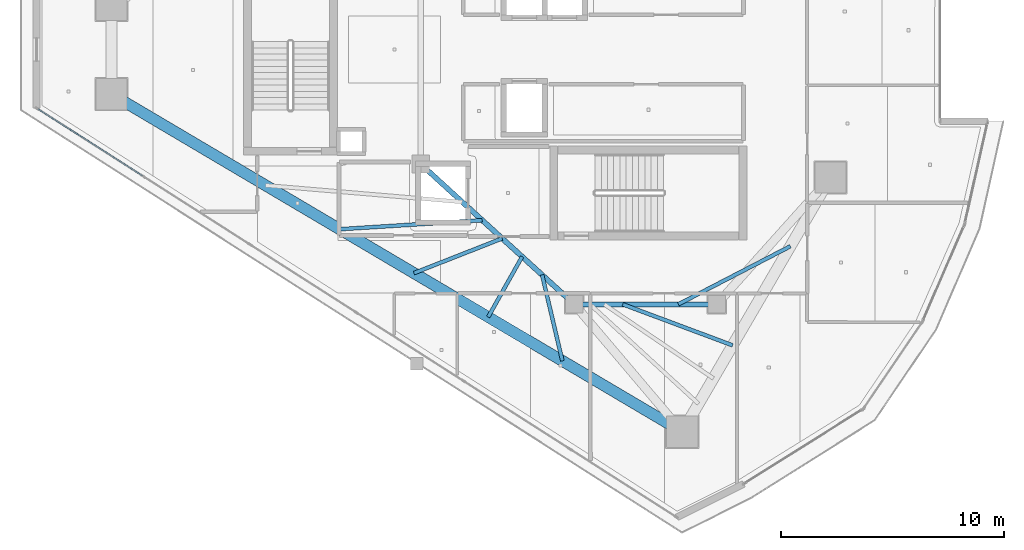
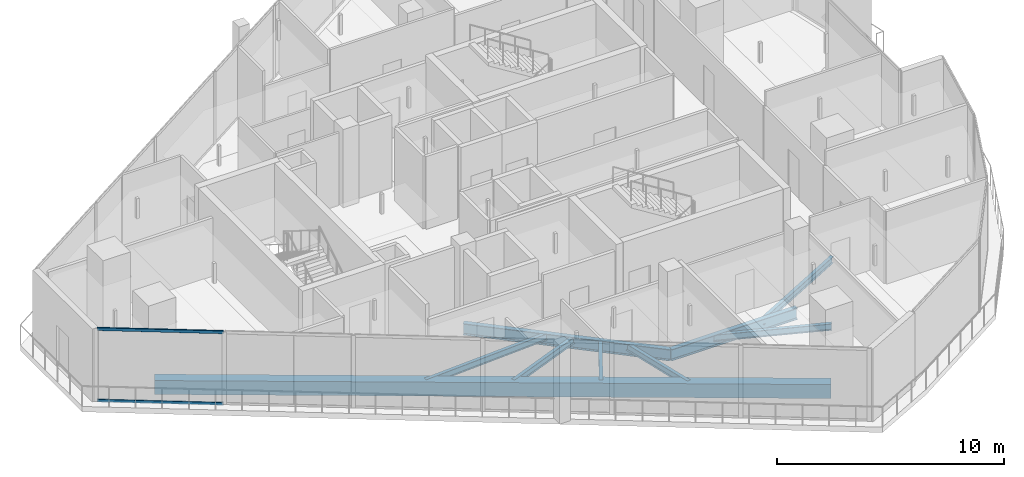
# One storey, part 5 of 24: 9 beams, 2 members, 1 element without a shape of its own.
"""IFC4 building model written with IfcOpenShell, lengths in metres."""

from ifc_helpers import new_model, si_unit, direction, frame, origin, origin_2d, place, context, subcontext, project, spatial, rectangle, hollow_rectangle, i_section, extrude, material, layer, layer_set, material_profile, profile_set, type_object, element, aggregate, save


model = new_model("IFC4")

# Units and contexts
model_context = context("Model", 3, precision=1e-05, world=origin(), true_north=direction((0.0, 1.0)))
body_context = subcontext(model_context, "Body", "Model", "MODEL_VIEW")
ifc_project = project(units=[si_unit("LENGTHUNIT", "METRE"), si_unit("AREAUNIT", "SQUARE_METRE"), si_unit("VOLUMEUNIT", "CUBIC_METRE"), si_unit("PLANEANGLEUNIT", "RADIAN"), si_unit("MASSUNIT", "GRAM", prefix="KILO")], contexts=[model_context])

# Site, building, storey
site_placement = place(None, origin())
site = spatial("IfcSite", under=ifc_project, at=site_placement, CompositionType="ELEMENT")
building_placement = place(site_placement, origin())
building = spatial("IfcBuilding", under=site, at=building_placement, Name="Qorvath Tower", CompositionType="ELEMENT")
storey_placement = place(building_placement, frame((0.0, 0.0, 318.60009765625)))
storey = spatial("IfcBuildingStorey", under=building, at=storey_placement, Name="L74", CompositionType="ELEMENT", Elevation=318.60009765625)

# Beams
ifc_material_1 = material(Name="Steel ASTM A992 Grade 50", Category="steel")
ifc_material_profile_1 = material_profile(ifc_material_1, i_section(OverallWidth=0.22998046875, OverallDepth=0.616943359375, WebThickness=0.01318359375, FlangeThickness=0.022216796875, FilletRadius=0.014892578125, at=origin_2d()), Name="W24x94")
ifc_profile_set_1 = profile_set([ifc_material_profile_1], Name="Steel ASTM A992 Grade 50")
beam_type_1 = type_object("IfcBeamType", Name="BM-FG6", PredefinedType="BEAM", material=ifc_profile_set_1)
beam_1_placement = place(storey_placement, frame((-17.199951171875, -11.449951171875, -0.598388671875), z_axis=(-1.0, 0.0, 0.0), x_axis=(0.0, -1.0, 0.0)))
element("IfcBeam", 1, at=beam_1_placement, inside=storey, type_object=beam_type_1, Name="Core Ring Girder CC3-CC4 L74", PredefinedType="BEAM", context=body_context, shape_type="SweptSolid", body=[
    extrude(i_section(OverallWidth=0.22998046875, OverallDepth=0.616943359375, WebThickness=0.01318359375, FlangeThickness=0.022216796875, FilletRadius=0.014892578125, at=origin_2d()), origin(), (0.0, 0.0, 1.0), 6.400146484375),
])
beam_2_placement = place(storey_placement, frame((-23.60009765625, -11.449951171875, -0.598388671875), z_axis=(-0.73847813985, 0.6742774184, 0.0), x_axis=(-0.6742774184, -0.73847813985, 0.0)))
element("IfcBeam", 2, at=beam_2_placement, inside=storey, type_object=beam_type_1, Name="Core Ring Girder CC4-CC6 L74", PredefinedType="BEAM", context=body_context, shape_type="SweptSolid", body=[
    extrude(i_section(OverallWidth=0.22998046875, OverallDepth=0.616943359375, WebThickness=0.01318359375, FlangeThickness=0.022216796875, FilletRadius=0.014892578125, at=origin_2d()), origin(), (0.0, 0.0, 1.0), 9.343505859375),
])
ifc_material_2 = material(Name="Steel ASTM A992 Grade 50", Category="steel")
ifc_material_profile_2 = material_profile(ifc_material_2, i_section(OverallWidth=0.1708984375, OverallDepth=0.35107421875, WebThickness=0.0068359375, FlangeThickness=0.009765625, FilletRadius=0.010009765625, at=origin_2d()), Name="W14x30")
ifc_profile_set_2 = profile_set([ifc_material_profile_2], Name="Steel ASTM A992 Grade 50")
beam_type_2 = type_object("IfcBeamType", Name="BM-FJ4", PredefinedType="JOIST", material=ifc_profile_set_2)
beam_3_placement = place(storey_placement, frame((-18.927978515625, -11.449951171875, -0.465576171875), z_axis=(0.887840529015, 0.460151274082, 0.0), x_axis=(-0.460151274082, 0.887840529015, 0.0)))
element("IfcBeam", 3, at=beam_3_placement, inside=storey, type_object=beam_type_2, Name="Composite Floor Joist SE2 L74", PredefinedType="JOIST", context=body_context, shape_type="SweptSolid", body=[
    extrude(i_section(OverallWidth=0.1708984375, OverallDepth=0.35107421875, WebThickness=0.0068359375, FlangeThickness=0.009765625, FilletRadius=0.010009765625, at=origin_2d()), origin(), (0.0, 0.0, 1.0), 5.670654296875),
])
beam_4_placement = place(storey_placement, frame((-21.424072265625, -11.449951171875, -0.465576171875), z_axis=(0.936775909139, -0.349929844478, 0.0), x_axis=(0.349929844478, 0.936775909139, 0.0)))
element("IfcBeam", 4, at=beam_4_placement, inside=storey, type_object=beam_type_2, Name="Composite Floor Joist SE5 L74", PredefinedType="JOIST", context=body_context, shape_type="SweptSolid", body=[
    extrude(i_section(OverallWidth=0.1708984375, OverallDepth=0.35107421875, WebThickness=0.0068359375, FlangeThickness=0.009765625, FilletRadius=0.010009765625, at=origin_2d()), origin(), (0.0, 0.0, 1.0), 5.268798828125),
])
beam_5_placement = place(storey_placement, frame((-27.739990234375, -7.669921875, -0.465576171875), z_axis=(-0.998006998641, -0.063103333222, 0.0), x_axis=(0.063103333222, -0.998006998641, 0.0)))
element("IfcBeam", 5, at=beam_5_placement, inside=storey, type_object=beam_type_2, Name="Composite Floor Joist SW3 L74", PredefinedType="JOIST", context=body_context, shape_type="SweptSolid", body=[
    extrude(i_section(OverallWidth=0.1708984375, OverallDepth=0.35107421875, WebThickness=0.0068359375, FlangeThickness=0.009765625, FilletRadius=0.010009765625, at=origin_2d()), origin(), (0.0, 0.0, 1.0), 6.41455078125),
])
beam_6_placement = place(storey_placement, frame((-26.843017578125, -8.489013671875, -0.465576171875), z_axis=(-0.930720832638, -0.365730408489, 0.0), x_axis=(0.365730408489, -0.930720832638, 0.0)))
element("IfcBeam", 6, at=beam_6_placement, inside=storey, type_object=beam_type_2, Name="Composite Floor Joist SW4 L74", PredefinedType="JOIST", context=body_context, shape_type="SweptSolid", body=[
    extrude(i_section(OverallWidth=0.1708984375, OverallDepth=0.35107421875, WebThickness=0.0068359375, FlangeThickness=0.009765625, FilletRadius=0.010009765625, at=origin_2d()), origin(), (0.0, 0.0, 1.0), 4.259033203125),
])
beam_7_placement = place(storey_placement, frame((-25.946044921875, -9.30810546875, -0.465576171875), z_axis=(-0.490626385489, -0.871370041866, 0.0), x_axis=(0.871370041866, -0.490626385489, 0.0)))
element("IfcBeam", 7, at=beam_7_placement, inside=storey, type_object=beam_type_2, Name="Composite Floor Joist SW5 L74", PredefinedType="JOIST", context=body_context, shape_type="SweptSolid", body=[
    extrude(i_section(OverallWidth=0.1708984375, OverallDepth=0.35107421875, WebThickness=0.0068359375, FlangeThickness=0.009765625, FilletRadius=0.010009765625, at=origin_2d()), origin(), (0.0, 0.0, 1.0), 3.110595703125),
])
beam_8_placement = place(storey_placement, frame((-25.049072265625, -10.126953125, -0.465576171875), z_axis=(0.22966321917, -0.973270160726, 0.0), x_axis=(0.973270160726, 0.22966321917, 0.0)))
element("IfcBeam", 8, at=beam_8_placement, inside=storey, type_object=beam_type_2, Name="Composite Floor Joist SW6 L74", PredefinedType="JOIST", context=body_context, shape_type="SweptSolid", body=[
    extrude(i_section(OverallWidth=0.1708984375, OverallDepth=0.35107421875, WebThickness=0.0068359375, FlangeThickness=0.009765625, FilletRadius=0.010009765625, at=origin_2d()), origin(), (0.0, 0.0, 1.0), 3.969482421875),
])
ifc_material_3 = material(Name="Concrete C45/55", Category="concrete")
ifc_material_profile_3 = material_profile(ifc_material_3, rectangle(XDim=0.5, YDim=0.75, at=origin_2d()), Name="RCB 750x500")
ifc_profile_set_3 = profile_set([ifc_material_profile_3], Name="Concrete C45/55")
beam_type_3 = type_object("IfcBeamType", Name="BM-RCB3", PredefinedType="SPANDREL", material=ifc_profile_set_3)
beam_9_placement = place(storey_placement, frame((-44.402587890625, -2.007568359375, -0.6650390625), z_axis=(0.860780849348, -0.508975765038, 0.0), x_axis=(0.508975765038, 0.860780849348, 0.0)))
element("IfcBeam", 9, at=beam_9_placement, inside=storey, type_object=beam_type_3, Name="Perimeter Loggia Frame Beam MC2-MC3 L74", PredefinedType="SPANDREL", context=body_context, shape_type="SweptSolid", body=[
    extrude(rectangle(XDim=0.5, YDim=0.75, at=origin_2d()), origin(), (0.0, 0.0, 1.0), 29.801025390625),
])

# Curtain wall, members
ifc_material_4 = material(Name="Anodised aluminium and triple low-E glass", Category="aluminium")
ifc_layer = layer(ifc_material_4, 0.179931640625)
ifc_layer_set = layer_set([ifc_layer], Name="CW-SYS-4")
curtain_wall_type = type_object("IfcCurtainWallType", Name="CW-SYS-4", PredefinedType="NOTDEFINED", material=ifc_layer_set)
curtain_wall_placement = place(storey_placement, origin())
curtain_wall = element("IfcCurtainWall", 10, at=curtain_wall_placement, inside=storey, type_object=curtain_wall_type, Name="Curtain Wall CW-4 CW-T-L74-2.1", PredefinedType="NOTDEFINED")
ifc_material_5 = material(Name="Anodised aluminium 6063-T6", Category="aluminium")
ifc_material_profile_4 = material_profile(ifc_material_5, hollow_rectangle(XDim=0.06494140625, YDim=0.159912109375, WallThickness=0.00341796875, InnerFilletRadius=0.00341796875, OuterFilletRadius=0.007080078125, at=origin_2d()), Name="CWT 160x65")
ifc_profile_set_4 = profile_set([ifc_material_profile_4], Name="Anodised aluminium 6063-T6")
member_type = type_object("IfcMemberType", Name="CWT-160", PredefinedType="USERDEFINED", material=ifc_profile_set_4)
member_1_placement = place(storey_placement, frame((-47.706787109375, -2.667724609375, 0.032470703125), z_axis=(0.842585950362, -0.538561896399, 0.0), x_axis=(0.538561896399, 0.842585950362, 0.0)))
member_1 = element("IfcMember", 11, at=member_1_placement, type_object=member_type, Name="CW-4 transom 1.1", ObjectType="TRANSOM", PredefinedType="USERDEFINED", context=body_context, shape_type="SweptSolid", body=[
    extrude(hollow_rectangle(XDim=0.06494140625, YDim=0.159912109375, WallThickness=0.00341796875, InnerFilletRadius=0.00341796875, OuterFilletRadius=0.007080078125, at=origin_2d()), origin(), (0.0, 0.0, 1.0), 5.579345703125),
])
member_2_placement = place(storey_placement, frame((-47.706787109375, -2.667724609375, 3.87744140625), z_axis=(0.842585950362, -0.538561896399, 0.0), x_axis=(0.538561896399, 0.842585950362, 0.0)))
member_2 = element("IfcMember", 12, at=member_2_placement, type_object=member_type, Name="CW-4 transom 1.2", ObjectType="TRANSOM", PredefinedType="USERDEFINED", context=body_context, shape_type="SweptSolid", body=[
    extrude(hollow_rectangle(XDim=0.06494140625, YDim=0.159912109375, WallThickness=0.00341796875, InnerFilletRadius=0.00341796875, OuterFilletRadius=0.007080078125, at=origin_2d()), origin(), (0.0, 0.0, 1.0), 5.579345703125),
])
aggregate(curtain_wall, [member_1, member_2])

save(model, "model.ifc")
